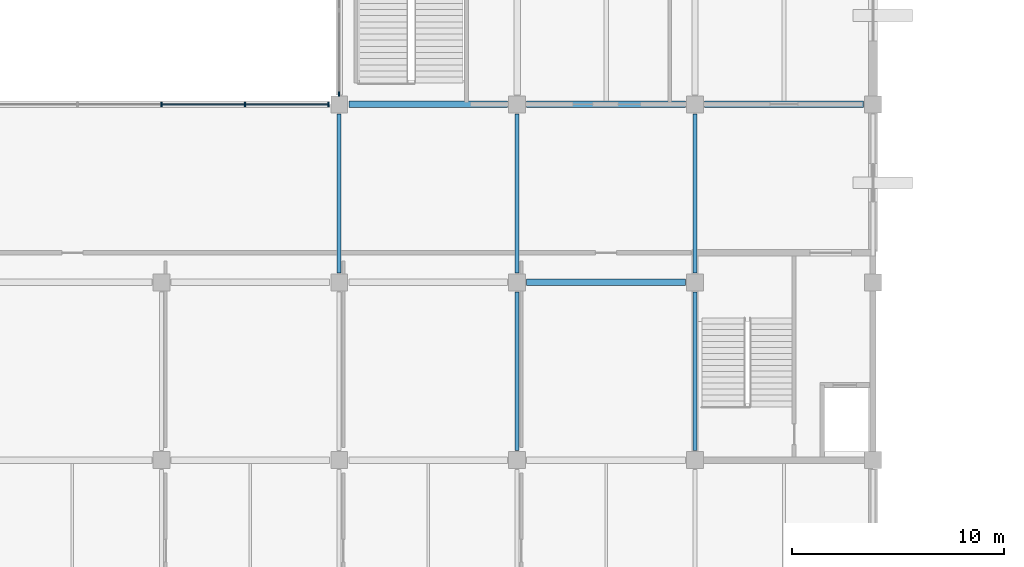
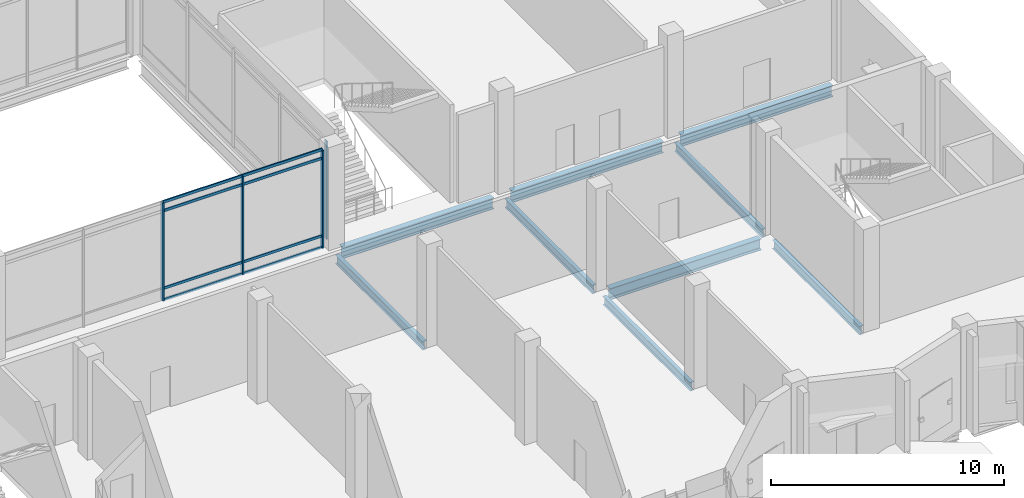
# One storey, part 22 of 72: 12 members, 9 beams, 2 elements without a shape of their own.
"""IFC4 building model written with IfcOpenShell, lengths in metres."""

from ifc_helpers import new_model, si_unit, direction, frame, origin, origin_2d, place, context, subcontext, project, spatial, rectangle, i_section, extrude, material, layer, layer_set, material_profile, profile_set, type_object, element, aggregate, save


model = new_model("IFC4")

# Units and contexts
model_context = context("Model", 3, precision=1e-05, world=origin(), true_north=direction((0.0, 1.0)))
body_context = subcontext(model_context, "Body", "Model", "MODEL_VIEW")
ifc_project = project(units=[si_unit("LENGTHUNIT", "METRE"), si_unit("AREAUNIT", "SQUARE_METRE"), si_unit("VOLUMEUNIT", "CUBIC_METRE"), si_unit("PLANEANGLEUNIT", "RADIAN"), si_unit("MASSUNIT", "GRAM", prefix="KILO")], contexts=[model_context])

# Site, building, storey
site_placement = place(None, origin())
site = spatial("IfcSite", under=ifc_project, at=site_placement, CompositionType="ELEMENT")
building_placement = place(site_placement, origin())
building = spatial("IfcBuilding", under=site, at=building_placement, Name="Qawsi Khor Wholesale Market", CompositionType="ELEMENT")
storey_placement = place(building_placement, frame((0.0, 0.0, 6.0)))
storey = spatial("IfcBuildingStorey", under=building, at=storey_placement, Name="L01", CompositionType="ELEMENT", Elevation=6.0)

# Curtain wall, members
ifc_material_1 = material(Name="Aluminium Anodised Bronze", Category="aluminium")
ifc_layer = layer(ifc_material_1, 0.179931640625, Name="Aluminium Anodised Bronze")
ifc_layer_set = layer_set([ifc_layer], Name="Aluminium Anodised Bronze")
curtain_wall_type = type_object("IfcCurtainWallType", Name="Atrium Full-Height Curtain Wall CW-02", PredefinedType="NOTDEFINED", material=ifc_layer_set)
curtain_wall_1_placement = place(storey_placement, origin())
curtain_wall_1 = element("IfcCurtainWall", 1, at=curtain_wall_1_placement, inside=storey, type_object=curtain_wall_type, Name="Curtain wall CW-CW-02-L01-036", PredefinedType="NOTDEFINED")
ifc_material_profile_1 = material_profile(ifc_material_1, rectangle(XDim=0.070068359375, YDim=0.199951171875, at=origin_2d()), Name="ALU MULLION 70x200")
ifc_profile_set_1 = profile_set([ifc_material_profile_1], Name="Aluminium Anodised Bronze")
member_type_1 = type_object("IfcMemberType", Name="Curtain Wall Mullion CW-02 ALU MULLION 70x200", PredefinedType="MULLION", material=ifc_profile_set_1)
member_1_placement = place(storey_placement, frame((159.60009765625, 25.199951171875, -0.02001953125), z_axis=(0.0, 0.0, 1.0), x_axis=(1.0, 0.0, 0.0)))
member_1 = element("IfcMember", 2, at=member_1_placement, type_object=member_type_1, Name="Mullion CW-CW-02-L01-036-M02", PredefinedType="MULLION", context=body_context, shape_type="SweptSolid", body=[
    extrude(rectangle(XDim=0.070068359375, YDim=0.199951171875, at=origin_2d()), origin(), (0.0, 0.0, 1.0), 5.14013671875),
])
member_2_placement = place(storey_placement, frame((163.552490234375, 25.199951171875, -0.02001953125), z_axis=(0.0, 0.0, 1.0), x_axis=(1.0, 0.0, 0.0)))
member_2 = element("IfcMember", 3, at=member_2_placement, type_object=member_type_1, Name="Mullion CW-CW-02-L01-036-M03", PredefinedType="MULLION", context=body_context, shape_type="SweptSolid", body=[
    extrude(rectangle(XDim=0.070068359375, YDim=0.199951171875, at=origin_2d()), origin(), (0.0, 0.0, 1.0), 5.14013671875),
])
member_3_placement = place(storey_placement, frame((167.5048828125, 25.199951171875, -0.02001953125), z_axis=(0.0, 0.0, 1.0), x_axis=(1.0, 0.0, 0.0)))
member_3 = element("IfcMember", 4, at=member_3_placement, type_object=member_type_1, Name="Mullion CW-CW-02-L01-036-M04", PredefinedType="MULLION", context=body_context, shape_type="SweptSolid", body=[
    extrude(rectangle(XDim=0.070068359375, YDim=0.199951171875, at=origin_2d()), origin(), (0.0, 0.0, 1.0), 5.14013671875),
])

# Curtain wall, member
curtain_wall_2_placement = place(storey_placement, origin())
curtain_wall_2 = element("IfcCurtainWall", 5, at=curtain_wall_2_placement, inside=storey, type_object=curtain_wall_type, Name="Curtain wall CW-CW-02-L01-040", PredefinedType="NOTDEFINED")
member_4_placement = place(storey_placement, frame((168.0, 25.695068359375, -0.02001953125), z_axis=(0.0, 0.0, 1.0), x_axis=(1.0, 0.0, 0.0)))
member_4 = element("IfcMember", 6, at=member_4_placement, type_object=member_type_1, Name="Mullion CW-CW-02-L01-040-M00", PredefinedType="MULLION", context=body_context, shape_type="SweptSolid", body=[
    extrude(rectangle(XDim=0.070068359375, YDim=0.199951171875, at=origin_2d()), origin(), (0.0, 0.0, 1.0), 5.14013671875),
])
aggregate(curtain_wall_2, [member_4])

# Member
ifc_material_profile_2 = material_profile(ifc_material_1, rectangle(XDim=0.06494140625, YDim=0.139892578125, at=origin_2d()), Name="ALU TRANSOM 65x140")
ifc_profile_set_2 = profile_set([ifc_material_profile_2], Name="Aluminium Anodised Bronze")
member_type_2 = type_object("IfcMemberType", Name="Curtain Wall Transom CW-02 ALU TRANSOM 65x140", PredefinedType="USERDEFINED", material=ifc_profile_set_2)
member_5_placement = place(storey_placement, frame((159.60009765625, 25.199951171875, 0.0), z_axis=(1.0, 0.0, 0.0), x_axis=(0.0, 1.0, 0.0)))
member_5 = element("IfcMember", 7, at=member_5_placement, type_object=member_type_2, Name="Transom CW-CW-02-L01-036-T0_02", ObjectType="TRANSOM", PredefinedType="USERDEFINED", context=body_context, shape_type="SweptSolid", body=[
    extrude(rectangle(XDim=0.06494140625, YDim=0.139892578125, at=origin_2d()), origin(), (0.0, 0.0, 1.0), 3.952392578125),
])

member_6_placement = place(storey_placement, frame((163.552490234375, 25.199951171875, 0.0), z_axis=(1.0, 0.0, 0.0), x_axis=(0.0, 1.0, 0.0)))
member_6 = element("IfcMember", 8, at=member_6_placement, type_object=member_type_2, Name="Transom CW-CW-02-L01-036-T0_03", ObjectType="TRANSOM", PredefinedType="USERDEFINED", context=body_context, shape_type="SweptSolid", body=[
    extrude(rectangle(XDim=0.06494140625, YDim=0.139892578125, at=origin_2d()), origin(), (0.0, 0.0, 1.0), 3.952392578125),
])

member_7_placement = place(storey_placement, frame((159.60009765625, 25.199951171875, 0.60009765625), z_axis=(1.0, 0.0, 0.0), x_axis=(0.0, 1.0, 0.0)))
member_7 = element("IfcMember", 9, at=member_7_placement, type_object=member_type_2, Name="Transom CW-CW-02-L01-036-T1_02", ObjectType="TRANSOM", PredefinedType="USERDEFINED", context=body_context, shape_type="SweptSolid", body=[
    extrude(rectangle(XDim=0.06494140625, YDim=0.139892578125, at=origin_2d()), origin(), (0.0, 0.0, 1.0), 3.952392578125),
])

member_8_placement = place(storey_placement, frame((163.552490234375, 25.199951171875, 0.60009765625), z_axis=(1.0, 0.0, 0.0), x_axis=(0.0, 1.0, 0.0)))
member_8 = element("IfcMember", 10, at=member_8_placement, type_object=member_type_2, Name="Transom CW-CW-02-L01-036-T1_03", ObjectType="TRANSOM", PredefinedType="USERDEFINED", context=body_context, shape_type="SweptSolid", body=[
    extrude(rectangle(XDim=0.06494140625, YDim=0.139892578125, at=origin_2d()), origin(), (0.0, 0.0, 1.0), 3.952392578125),
])

member_9_placement = place(storey_placement, frame((159.60009765625, 25.199951171875, 4.669921875), z_axis=(1.0, 0.0, 0.0), x_axis=(0.0, 1.0, 0.0)))
member_9 = element("IfcMember", 11, at=member_9_placement, type_object=member_type_2, Name="Transom CW-CW-02-L01-036-T2_02", ObjectType="TRANSOM", PredefinedType="USERDEFINED", context=body_context, shape_type="SweptSolid", body=[
    extrude(rectangle(XDim=0.06494140625, YDim=0.139892578125, at=origin_2d()), origin(), (0.0, 0.0, 1.0), 3.952392578125),
])

member_10_placement = place(storey_placement, frame((163.552490234375, 25.199951171875, 4.669921875), z_axis=(1.0, 0.0, 0.0), x_axis=(0.0, 1.0, 0.0)))
member_10 = element("IfcMember", 12, at=member_10_placement, type_object=member_type_2, Name="Transom CW-CW-02-L01-036-T2_03", ObjectType="TRANSOM", PredefinedType="USERDEFINED", context=body_context, shape_type="SweptSolid", body=[
    extrude(rectangle(XDim=0.06494140625, YDim=0.139892578125, at=origin_2d()), origin(), (0.0, 0.0, 1.0), 3.952392578125),
])

member_11_placement = place(storey_placement, frame((159.60009765625, 25.199951171875, 5.1201171875), z_axis=(1.0, 0.0, 0.0), x_axis=(0.0, 1.0, 0.0)))
member_11 = element("IfcMember", 13, at=member_11_placement, type_object=member_type_2, Name="Transom CW-CW-02-L01-036-T3_02", ObjectType="TRANSOM", PredefinedType="USERDEFINED", context=body_context, shape_type="SweptSolid", body=[
    extrude(rectangle(XDim=0.06494140625, YDim=0.139892578125, at=origin_2d()), origin(), (0.0, 0.0, 1.0), 3.952392578125),
])

member_12_placement = place(storey_placement, frame((163.552490234375, 25.199951171875, 5.1201171875), z_axis=(1.0, 0.0, 0.0), x_axis=(0.0, 1.0, 0.0)))
member_12 = element("IfcMember", 14, at=member_12_placement, type_object=member_type_2, Name="Transom CW-CW-02-L01-036-T3_03", ObjectType="TRANSOM", PredefinedType="USERDEFINED", context=body_context, shape_type="SweptSolid", body=[
    extrude(rectangle(XDim=0.06494140625, YDim=0.139892578125, at=origin_2d()), origin(), (0.0, 0.0, 1.0), 3.952392578125),
])

aggregate(curtain_wall_1, [member_1, member_2, member_3, member_5, member_6, member_7, member_8, member_9, member_10, member_11, member_12])

# Beams
ifc_material_2 = material(Name="Steel S355", Category="steel")
ifc_material_profile_3 = material_profile(ifc_material_2, i_section(OverallWidth=0.300048828125, OverallDepth=0.590087890625, WebThickness=0.012939453125, FlangeThickness=0.02490234375, FilletRadius=0.027099609375, at=origin_2d()), Name="HEA 600")
ifc_profile_set_3 = profile_set([ifc_material_profile_3], Name="Steel S355")
beam_type_1 = type_object("IfcBeamType", Name="Primary Girder HEA 600", PredefinedType="BEAM", material=ifc_profile_set_3)
for number, where, z_axis, x_axis, name in (
    (15, (168.449951171875, 25.199951171875, -0.574951171875), (1.0, 0.0, 0.0), (0.0, 1.0, 0.0), "BM-X-L01-20_+03"),
    (16, (176.85009765625, 16.800048828125, -0.574951171875), (1.0, 0.0, 0.0), (0.0, 1.0, 0.0), "BM-X-L01-21_+02"),
    (17, (176.85009765625, 25.199951171875, -0.574951171875), (1.0, 0.0, 0.0), (0.0, 1.0, 0.0), "BM-X-L01-21_+03"),
    (18, (185.25, 25.199951171875, -0.574951171875), (1.0, 0.0, 0.0), (0.0, 1.0, 0.0), "BM-X-L01-22_+03"),
):
    element("IfcBeam", number, at=place(storey_placement, frame(where, z_axis=z_axis, x_axis=x_axis)), inside=storey, type_object=beam_type_1, Name=name, PredefinedType="BEAM", context=body_context, shape_type="SweptSolid", body=[
        extrude(i_section(OverallWidth=0.300048828125, OverallDepth=0.590087890625, WebThickness=0.012939453125, FlangeThickness=0.02490234375, FilletRadius=0.027099609375, at=origin_2d()), origin(), (0.0, 0.0, 1.0), 7.5),
    ])
ifc_material_profile_4 = material_profile(ifc_material_2, i_section(OverallWidth=0.18994140625, OverallDepth=0.449951171875, WebThickness=0.009521484375, FlangeThickness=0.0146484375, FilletRadius=0.02099609375, at=origin_2d()), Name="IPE 450")
ifc_profile_set_4 = profile_set([ifc_material_profile_4], Name="Steel S355")
beam_type_2 = type_object("IfcBeamType", Name="Secondary Beam IPE 450", PredefinedType="BEAM", material=ifc_profile_set_4)
for number, where, z_axis, x_axis, name in (
    (19, (168.0, 17.25, -0.5048828125), (0.0, 1.0, 0.0), (-1.0, 0.0, 0.0), "BM-Y-L01-20_+02"),
    (20, (176.39990234375, 8.85009765625, -0.5048828125), (0.0, 1.0, 0.0), (-1.0, 0.0, 0.0), "BM-Y-L01-21_+01"),
    (21, (176.39990234375, 17.25, -0.5048828125), (0.0, 1.0, 0.0), (-1.0, 0.0, 0.0), "BM-Y-L01-21_+02"),
    (22, (184.800048828125, 8.85009765625, -0.5048828125), (0.0, 1.0, 0.0), (-1.0, 0.0, 0.0), "BM-Y-L01-22_+01"),
    (23, (184.800048828125, 17.25, -0.5048828125), (0.0, 1.0, 0.0), (-1.0, 0.0, 0.0), "BM-Y-L01-22_+02"),
):
    element("IfcBeam", number, at=place(storey_placement, frame(where, z_axis=z_axis, x_axis=x_axis)), inside=storey, type_object=beam_type_2, Name=name, PredefinedType="BEAM", context=body_context, shape_type="SweptSolid", body=[
        extrude(i_section(OverallWidth=0.18994140625, OverallDepth=0.449951171875, WebThickness=0.009521484375, FlangeThickness=0.0146484375, FilletRadius=0.02099609375, at=origin_2d()), origin(), (0.0, 0.0, 1.0), 7.5),
    ])

save(model, "model.ifc")
